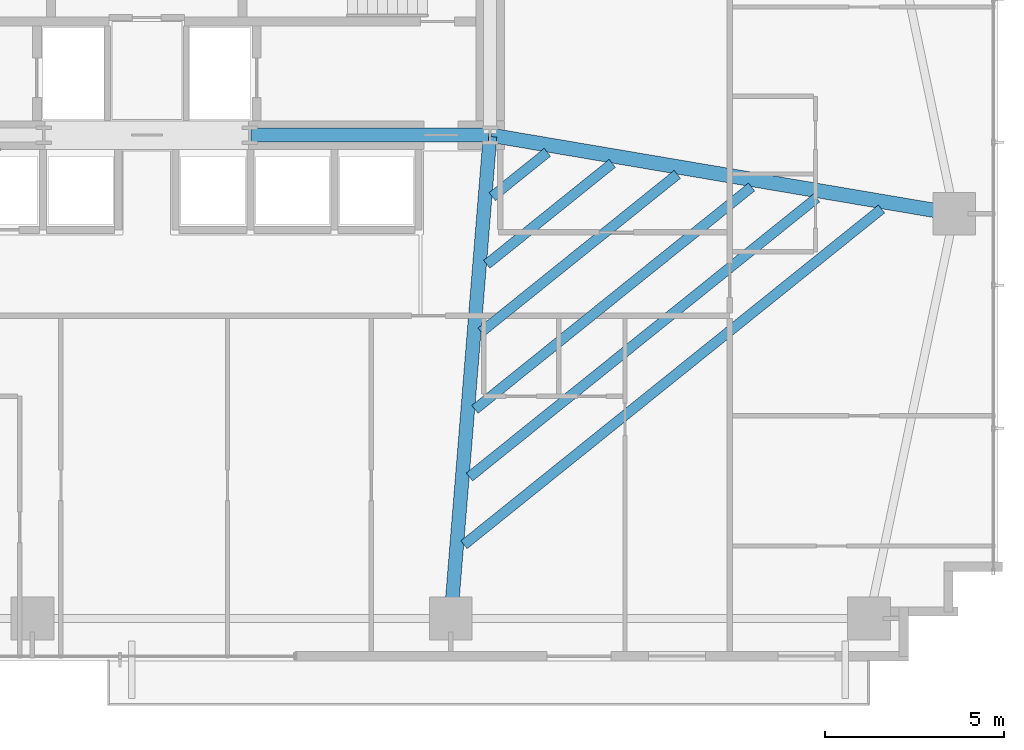
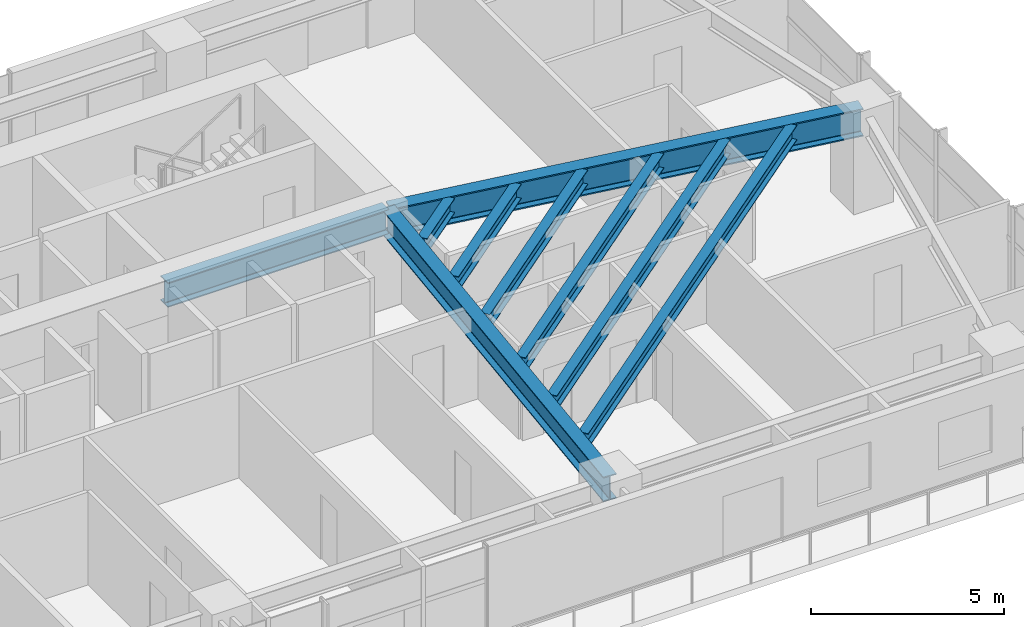
# One storey, part 13 of 25: 9 beams.
"""IFC4 building model written with IfcOpenShell, lengths in metres."""

from ifc_helpers import new_model, si_unit, direction, frame, origin, origin_2d, place, context, subcontext, project, spatial, i_section, extrude, source, transform, mapped, material, material_profile, profile_set, type_object, type_shapes, element, save


model = new_model("IFC4")

# Units and contexts
model_context = context("Model", 3, precision=1e-05, world=origin(), true_north=direction((0.0, 1.0)))
body_context = subcontext(model_context, "Body", "Model", "MODEL_VIEW")
ifc_project = project(units=[si_unit("LENGTHUNIT", "METRE"), si_unit("AREAUNIT", "SQUARE_METRE"), si_unit("VOLUMEUNIT", "CUBIC_METRE"), si_unit("PLANEANGLEUNIT", "RADIAN"), si_unit("MASSUNIT", "GRAM", prefix="KILO")], contexts=[model_context])

# Site, building, storey
site_placement = place(None, origin())
site = spatial("IfcSite", under=ifc_project, at=site_placement, CompositionType="ELEMENT")
building_placement = place(site_placement, origin())
building = spatial("IfcBuilding", under=site, at=building_placement, Name="Astriad Promenade Condominiums", CompositionType="ELEMENT")
storey_placement = place(building_placement, frame((0.0, 0.0, 26.199951171875)))
storey = spatial("IfcBuildingStorey", under=building, at=storey_placement, Name="L06", CompositionType="ELEMENT", Elevation=26.199951171875)

# Beams
ifc_material = material(Name="Steel ASTM A992 Grade 50", Category="steel")
ifc_material_profile_1 = material_profile(ifc_material, i_section(OverallWidth=0.3837890625, OverallDepth=0.785888671875, WebThickness=0.019775390625, FlangeThickness=0.033447265625, FilletRadius=0.021484375, at=origin_2d()), Name="W30X211")
ifc_profile_set_1 = profile_set([ifc_material_profile_1], Name="Steel ASTM A992 Grade 50")
beam_type_1 = type_object("IfcBeamType", Name="STEEL FLOOR GIRDER W30X211", PredefinedType="BEAM", material=ifc_profile_set_1)
shared_shape_1 = source(origin(), body_context, "Body", "SweptSolid", [
    extrude(i_section(OverallWidth=0.3837890625, OverallDepth=0.785888671875, WebThickness=0.019775390625, FlangeThickness=0.033447265625, FilletRadius=0.021484375, at=origin_2d()), origin(), (0.0, 0.0, 1.0), 6.64013671875),
])
beam_1_placement = place(storey_placement, frame((38.919921875, 17.39990234375, 2.547119140625), z_axis=(1.0, 0.0, 0.0), x_axis=(0.0, 1.0, 0.0)))
element("IfcBeam", 1, at=beam_1_placement, inside=storey, type_object=beam_type_1, Name="Core Ring Beam CG-S3-L06", PredefinedType="BEAM", context=body_context, shape_type="MappedRepresentation", body=[
    mapped(shared_shape_1, transform((0.0, 0.0, 0.0), scale=1.0)),
])
shared_shape_2 = source(origin(), body_context, "Body", "SweptSolid", [
    extrude(i_section(OverallWidth=0.3837890625, OverallDepth=0.785888671875, WebThickness=0.019775390625, FlangeThickness=0.033447265625, FilletRadius=0.021484375, at=origin_2d()), origin(), (0.0, 0.0, 1.0), 13.484619140625),
])
type_shapes(beam_type_1, [shared_shape_1, shared_shape_2])
beam_2_placement = place(storey_placement, frame((44.503173828125, 3.919921875, 2.547119140625), z_axis=(0.081092961134, 0.996706542396, 0.0), x_axis=(-0.996706542396, 0.081092961134, 0.0)))
element("IfcBeam", 2, at=beam_2_placement, inside=storey, type_object=beam_type_1, Name="Primary Floor Girder PG-E2-L06", PredefinedType="BEAM", context=body_context, shape_type="MappedRepresentation", body=[
    mapped(shared_shape_2, transform((0.0, 0.0, 0.0), scale=1.0)),
])
ifc_material_profile_2 = material_profile(ifc_material, i_section(OverallWidth=0.4013671875, OverallDepth=0.877197265625, WebThickness=0.022216796875, FlangeThickness=0.039794921875, FilletRadius=0.02294921875, at=origin_2d()), Name="W33X263")
ifc_profile_set_2 = profile_set([ifc_material_profile_2], Name="Steel ASTM A992 Grade 50")
beam_type_2 = type_object("IfcBeamType", Name="STEEL PRIMARY GIRDER W33X263", PredefinedType="BEAM", material=ifc_profile_set_2)
shared_shape_3 = source(origin(), body_context, "Body", "SweptSolid", [
    extrude(i_section(OverallWidth=0.4013671875, OverallDepth=0.877197265625, WebThickness=0.022216796875, FlangeThickness=0.039794921875, FilletRadius=0.02294921875, at=origin_2d()), origin(), (0.0, 0.0, 1.0), 13.085205078125),
])
type_shapes(beam_type_2, [shared_shape_3])
beam_3_placement = place(storey_placement, frame((58.54052734375, 15.206787109375, 2.50146484375), z_axis=(-0.985939912267, 0.167100237577, 0.0), x_axis=(-0.167100237577, -0.985939912267, 0.0)))
element("IfcBeam", 3, at=beam_3_placement, inside=storey, type_object=beam_type_2, Name="Primary Floor Girder PG-EM-L06", PredefinedType="BEAM", context=body_context, shape_type="MappedRepresentation", body=[
    mapped(shared_shape_3, transform((0.0, 0.0, 0.0), scale=1.0)),
])
ifc_material_profile_3 = material_profile(ifc_material, i_section(OverallWidth=0.283203125, OverallDepth=0.47216796875, WebThickness=0.013671875, FlangeThickness=0.022216796875, FilletRadius=0.01513671875, at=origin_2d()), Name="W18X97")
ifc_profile_set_3 = profile_set([ifc_material_profile_3], Name="Steel ASTM A992 Grade 50")
beam_type_3 = type_object("IfcBeamType", Name="STEEL FLOOR JOIST W18X97", PredefinedType="JOIST", material=ifc_profile_set_3)
shared_shape_4 = source(origin(), body_context, "Body", "SweptSolid", [
    extrude(i_section(OverallWidth=0.283203125, OverallDepth=0.47216796875, WebThickness=0.013671875, FlangeThickness=0.022216796875, FilletRadius=0.01513671875, at=origin_2d()), origin(), (0.0, 0.0, 1.0), 14.984375),
])
beam_4_placement = place(storey_placement, frame((44.867919921875, 5.944580078125, 2.703857421875), z_axis=(0.77934368876, 0.626596692291, 0.0), x_axis=(-0.626596692291, 0.77934368876, 0.0)))
element("IfcBeam", 4, at=beam_4_placement, inside=storey, type_object=beam_type_3, Name="Secondary Composite Floor Joist JE1-1-L06", PredefinedType="JOIST", context=body_context, shape_type="MappedRepresentation", body=[
    mapped(shared_shape_4, transform((0.0, 0.0, 0.0), scale=1.0)),
])
shared_shape_5 = source(origin(), body_context, "Body", "SweptSolid", [
    extrude(i_section(OverallWidth=0.283203125, OverallDepth=0.47216796875, WebThickness=0.013671875, FlangeThickness=0.022216796875, FilletRadius=0.01513671875, at=origin_2d()), origin(), (0.0, 0.0, 1.0), 12.455078125),
])
beam_5_placement = place(storey_placement, frame((45.021728515625, 7.83740234375, 2.703857421875), z_axis=(0.77935577594, 0.626581658292, 0.0), x_axis=(-0.626581658292, 0.77935577594, 0.0)))
element("IfcBeam", 5, at=beam_5_placement, inside=storey, type_object=beam_type_3, Name="Secondary Composite Floor Joist JE1-2-L06", PredefinedType="JOIST", context=body_context, shape_type="MappedRepresentation", body=[
    mapped(shared_shape_5, transform((0.0, 0.0, 0.0), scale=1.0)),
])
shared_shape_6 = source(origin(), body_context, "Body", "SweptSolid", [
    extrude(i_section(OverallWidth=0.283203125, OverallDepth=0.47216796875, WebThickness=0.013671875, FlangeThickness=0.022216796875, FilletRadius=0.01513671875, at=origin_2d()), origin(), (0.0, 0.0, 1.0), 9.926025390625),
])
beam_6_placement = place(storey_placement, frame((45.17578125, 9.730224609375, 2.703857421875), z_axis=(0.779352355084, 0.626585913203, 0.0), x_axis=(-0.626585913203, 0.779352355084, 0.0)))
element("IfcBeam", 6, at=beam_6_placement, inside=storey, type_object=beam_type_3, Name="Secondary Composite Floor Joist JE1-3-L06", PredefinedType="JOIST", context=body_context, shape_type="MappedRepresentation", body=[
    mapped(shared_shape_6, transform((0.0, 0.0, 0.0), scale=1.0)),
])
shared_shape_7 = source(origin(), body_context, "Body", "SweptSolid", [
    extrude(i_section(OverallWidth=0.283203125, OverallDepth=0.47216796875, WebThickness=0.013671875, FlangeThickness=0.022216796875, FilletRadius=0.01513671875, at=origin_2d()), origin(), (0.0, 0.0, 1.0), 7.03515625),
])
beam_7_placement = place(storey_placement, frame((45.351806640625, 11.8935546875, 2.703857421875), z_axis=(0.779349752639, 0.626589150131, 0.0), x_axis=(-0.626589150131, 0.779349752639, 0.0)))
element("IfcBeam", 7, at=beam_7_placement, inside=storey, type_object=beam_type_3, Name="Secondary Composite Floor Joist JE1-4-L06", PredefinedType="JOIST", context=body_context, shape_type="MappedRepresentation", body=[
    mapped(shared_shape_7, transform((0.0, 0.0, 0.0), scale=1.0)),
])
shared_shape_8 = source(origin(), body_context, "Body", "SweptSolid", [
    extrude(i_section(OverallWidth=0.283203125, OverallDepth=0.47216796875, WebThickness=0.013671875, FlangeThickness=0.022216796875, FilletRadius=0.01513671875, at=origin_2d()), origin(), (0.0, 0.0, 1.0), 4.505859375),
])
beam_8_placement = place(storey_placement, frame((45.505859375, 13.786376953125, 2.703857421875), z_axis=(0.779365294733, 0.626569818429, 0.0), x_axis=(-0.626569818429, 0.779365294733, 0.0)))
element("IfcBeam", 8, at=beam_8_placement, inside=storey, type_object=beam_type_3, Name="Secondary Composite Floor Joist JE1-5-L06", PredefinedType="JOIST", context=body_context, shape_type="MappedRepresentation", body=[
    mapped(shared_shape_8, transform((0.0, 0.0, 0.0), scale=1.0)),
])
shared_shape_9 = source(origin(), body_context, "Body", "SweptSolid", [
    extrude(i_section(OverallWidth=0.283203125, OverallDepth=0.47216796875, WebThickness=0.013671875, FlangeThickness=0.022216796875, FilletRadius=0.01513671875, at=origin_2d()), origin(), (0.0, 0.0, 1.0), 1.9765625),
])
type_shapes(beam_type_3, [shared_shape_4, shared_shape_5, shared_shape_6, shared_shape_7, shared_shape_8, shared_shape_9])
beam_9_placement = place(storey_placement, frame((45.659912109375, 15.67919921875, 2.703857421875), z_axis=(0.77936029648, 0.626576035506, 0.0), x_axis=(-0.626576035506, 0.77936029648, 0.0)))
element("IfcBeam", 9, at=beam_9_placement, inside=storey, type_object=beam_type_3, Name="Secondary Composite Floor Joist JE1-6-L06", PredefinedType="JOIST", context=body_context, shape_type="MappedRepresentation", body=[
    mapped(shared_shape_9, transform((0.0, 0.0, 0.0), scale=1.0)),
])

save(model, "model.ifc")
